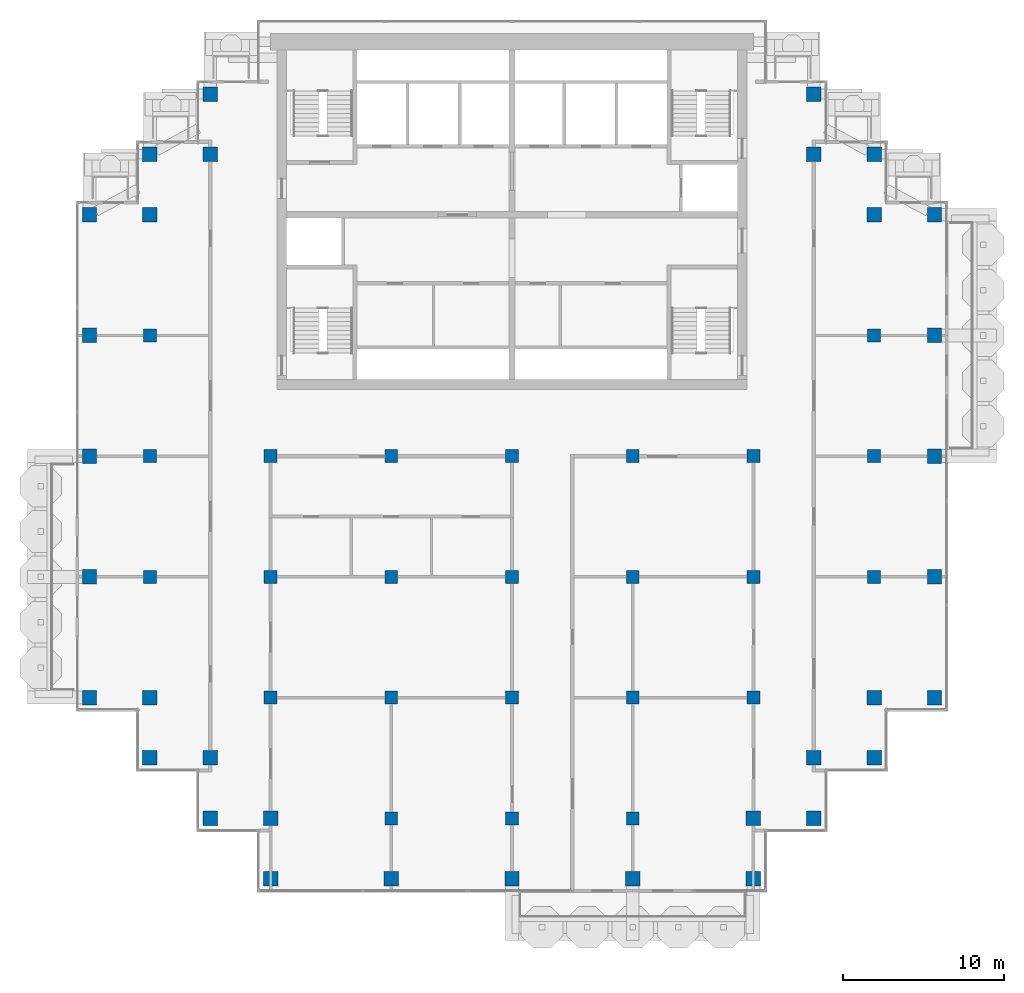
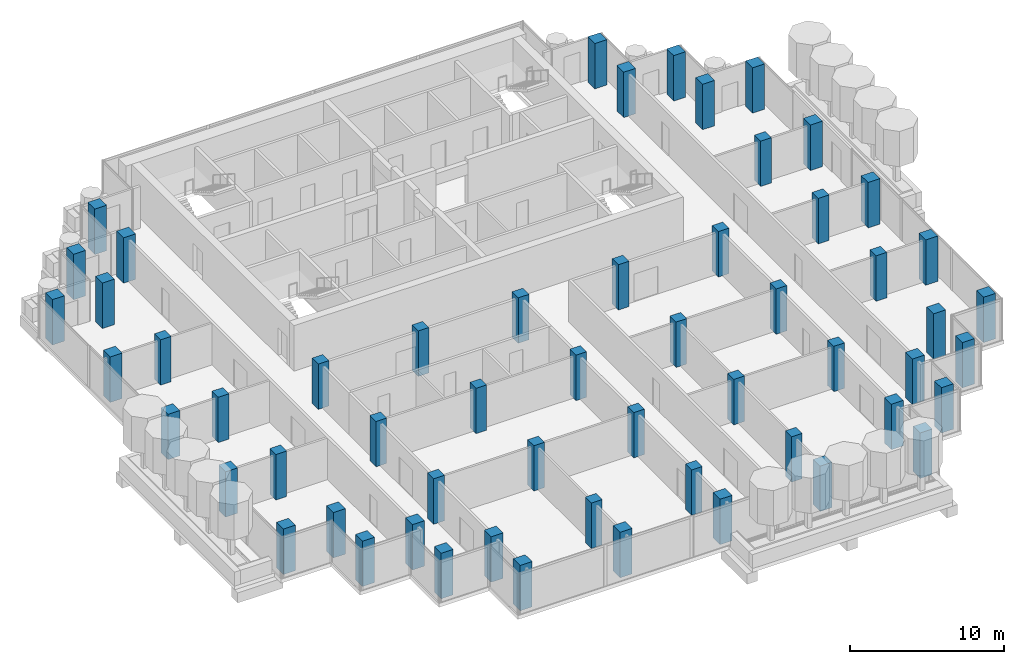
# One storey, part 1 of 18: 57 columns.
"""IFC4 building model written with IfcOpenShell, lengths in metres."""

from ifc_helpers import new_model, si_unit, direction, frame, origin, origin_2d, place, context, subcontext, project, spatial, rectangle, extrude, material, material_profile, profile_set, type_object, element, save


model = new_model("IFC4")

# Units and contexts
model_context = context("Model", 3, precision=1e-05, world=origin(), true_north=direction((0.0, 1.0)))
body_context = subcontext(model_context, "Body", "Model", "MODEL_VIEW")
ifc_project = project(units=[si_unit("LENGTHUNIT", "METRE"), si_unit("AREAUNIT", "SQUARE_METRE"), si_unit("VOLUMEUNIT", "CUBIC_METRE"), si_unit("PLANEANGLEUNIT", "RADIAN"), si_unit("MASSUNIT", "GRAM", prefix="KILO")], contexts=[model_context])

# Site, building, storey
site_placement = place(None, origin())
site = spatial("IfcSite", under=ifc_project, at=site_placement, CompositionType="ELEMENT")
building_placement = place(site_placement, origin())
building = spatial("IfcBuilding", under=site, at=building_placement, Name="Pilkhan Gate Tower", CompositionType="ELEMENT")
storey_placement = place(building_placement, frame((0.0, 0.0, 231.89990234375)))
storey = spatial("IfcBuildingStorey", under=building, at=storey_placement, Name="L60", CompositionType="ELEMENT", Elevation=231.89990234375)

# Columns
ifc_material = material(Name="Concrete C50/60", Category="concrete")
ifc_material_profile_1 = material_profile(ifc_material, rectangle(XDim=0.800048828125, YDim=0.800048828125, at=origin_2d()), Name="RC 800x800")
ifc_profile_set_1 = profile_set([ifc_material_profile_1], Name="Concrete C50/60")
column_type_1 = type_object("IfcColumnType", Name="Column C80 RC 800x800 C50/60", PredefinedType="COLUMN", material=ifc_profile_set_1)
for number, where, z_axis, x_axis, name in (
    (1, (52.5, 60.0, 0.0), (0.0, 0.0, 1.0), (1.0, 0.0, 0.0), "Column 5/F L60"),
    (2, (52.5, 67.5, 0.0), (0.0, 0.0, 1.0), (1.0, 0.0, 0.0), "Column 5/H L60"),
    (3, (52.5, 75.0, 0.0), (0.0, 0.0, 1.0), (1.0, 0.0, 0.0), "Column 5/K L60"),
    (4, (60.0, 52.5, 0.0), (0.0, 0.0, 1.0), (1.0, 0.0, 0.0), "Column 7/D L60"),
    (5, (60.0, 60.0, 0.0), (0.0, 0.0, 1.0), (1.0, 0.0, 0.0), "Column 7/F L60"),
    (6, (60.0, 67.5, 0.0), (0.0, 0.0, 1.0), (1.0, 0.0, 0.0), "Column 7/H L60"),
    (7, (67.5, 45.0, 0.0), (0.0, 0.0, 1.0), (1.0, 0.0, 0.0), "Column 9/B L60"),
    (8, (67.5, 52.5, 0.0), (0.0, 0.0, 1.0), (1.0, 0.0, 0.0), "Column 9/D L60"),
    (9, (67.5, 60.0, 0.0), (0.0, 0.0, 1.0), (1.0, 0.0, 0.0), "Column 9/F L60"),
    (10, (67.5, 67.5, 0.0), (0.0, 0.0, 1.0), (1.0, 0.0, 0.0), "Column 9/H L60"),
    (11, (75.0, 45.0, 0.0), (0.0, 0.0, 1.0), (1.0, 0.0, 0.0), "Column 11/B L60"),
    (12, (75.0, 52.5, 0.0), (0.0, 0.0, 1.0), (1.0, 0.0, 0.0), "Column 11/D L60"),
    (13, (75.0, 60.0, 0.0), (0.0, 0.0, 1.0), (1.0, 0.0, 0.0), "Column 11/F L60"),
    (14, (75.0, 67.5, 0.0), (0.0, 0.0, 1.0), (1.0, 0.0, 0.0), "Column 11/H L60"),
    (15, (82.5, 45.0, 0.0), (0.0, 0.0, 1.0), (1.0, 0.0, 0.0), "Column 13/B L60"),
    (16, (82.5, 52.5, 0.0), (0.0, 0.0, 1.0), (1.0, 0.0, 0.0), "Column 13/D L60"),
    (17, (82.5, 60.0, 0.0), (0.0, 0.0, 1.0), (1.0, 0.0, 0.0), "Column 13/F L60"),
    (18, (82.5, 67.5, 0.0), (0.0, 0.0, 1.0), (1.0, 0.0, 0.0), "Column 13/H L60"),
    (19, (90.0, 52.5, 0.0), (0.0, 0.0, 1.0), (1.0, 0.0, 0.0), "Column 15/D L60"),
    (20, (90.0, 60.0, 0.0), (0.0, 0.0, 1.0), (1.0, 0.0, 0.0), "Column 15/F L60"),
    (21, (90.0, 67.5, 0.0), (0.0, 0.0, 1.0), (1.0, 0.0, 0.0), "Column 15/H L60"),
    (22, (97.5, 60.0, 0.0), (0.0, 0.0, 1.0), (1.0, 0.0, 0.0), "Column 17/F L60"),
    (23, (97.5, 67.5, 0.0), (0.0, 0.0, 1.0), (1.0, 0.0, 0.0), "Column 17/H L60"),
    (24, (97.5, 75.0, 0.0), (0.0, 0.0, 1.0), (1.0, 0.0, 0.0), "Column 17/K L60"),
):
    element("IfcColumn", number, at=place(storey_placement, frame(where, z_axis=z_axis, x_axis=x_axis)), inside=storey, type_object=column_type_1, Name=name, PredefinedType="COLUMN", context=body_context, shape_type="SweptSolid", body=[
        extrude(rectangle(XDim=0.800048828125, YDim=0.800048828125, at=origin_2d()), origin(), (0.0, 0.0, 1.0), 3.60009765625),
    ])
ifc_material_profile_2 = material_profile(ifc_material, rectangle(XDim=0.89990234375, YDim=0.89990234375, at=origin_2d()), Name="RC 900x900")
ifc_profile_set_2 = profile_set([ifc_material_profile_2], Name="Concrete C50/60")
column_type_2 = type_object("IfcColumnType", Name="Column C90 RC 900x900 C50/60", PredefinedType="COLUMN", material=ifc_profile_set_2)
for number, where, z_axis, x_axis, name in (
    (25, (48.75, 52.5, 0.0), (0.0, 0.0, 1.0), (1.0, 0.0, 0.0), "Column 4/D L60"),
    (26, (48.75, 60.0, 0.0), (0.0, 0.0, 1.0), (1.0, 0.0, 0.0), "Column 4/F L60"),
    (27, (48.75, 67.5, 0.0), (0.0, 0.0, 1.0), (1.0, 0.0, 0.0), "Column 4/H L60"),
    (28, (48.75, 75.0, 0.0), (0.0, 0.0, 1.0), (1.0, 0.0, 0.0), "Column 4/K L60"),
    (29, (48.75, 82.5, 0.0), (0.0, 0.0, 1.0), (1.0, 0.0, 0.0), "Column 4/M L60"),
    (30, (52.5, 48.75, 0.0), (0.0, 0.0, 1.0), (1.0, 0.0, 0.0), "Column 5/C L60"),
    (31, (52.5, 52.5, 0.0), (0.0, 0.0, 1.0), (1.0, 0.0, 0.0), "Column 5/D L60"),
    (32, (52.5, 82.5, 0.0), (0.0, 0.0, 1.0), (1.0, 0.0, 0.0), "Column 5/M L60"),
    (33, (52.5, 86.25, 0.0), (0.0, 0.0, 1.0), (1.0, 0.0, 0.0), "Column 5/N L60"),
    (34, (56.25, 45.0, 0.0), (0.0, 0.0, 1.0), (1.0, 0.0, 0.0), "Column 6/B L60"),
    (35, (56.25, 48.75, 0.0), (0.0, 0.0, 1.0), (1.0, 0.0, 0.0), "Column 6/C L60"),
    (36, (56.25, 86.25, 0.0), (0.0, 0.0, 1.0), (1.0, 0.0, 0.0), "Column 6/N L60"),
    (37, (56.25, 90.0, 0.0), (0.0, 0.0, 1.0), (1.0, 0.0, 0.0), "Column 6/P L60"),
    (38, (60.0, 41.25, 0.0), (0.0, 0.0, 1.0), (1.0, 0.0, 0.0), "Column 7/A L60"),
    (39, (60.0, 45.0, 0.0), (0.0, 0.0, 1.0), (1.0, 0.0, 0.0), "Column 7/B L60"),
    (40, (67.5, 41.25, 0.0), (0.0, 0.0, 1.0), (1.0, 0.0, 0.0), "Column 9/A L60"),
    (41, (75.0, 41.25, 0.0), (0.0, 0.0, 1.0), (1.0, 0.0, 0.0), "Column 11/A L60"),
    (42, (82.5, 41.25, 0.0), (0.0, 0.0, 1.0), (1.0, 0.0, 0.0), "Column 13/A L60"),
    (43, (90.0, 41.25, 0.0), (0.0, 0.0, 1.0), (1.0, 0.0, 0.0), "Column 15/A L60"),
    (44, (90.0, 45.0, 0.0), (0.0, 0.0, 1.0), (1.0, 0.0, 0.0), "Column 15/B L60"),
    (45, (93.75, 45.0, 0.0), (0.0, 0.0, 1.0), (1.0, 0.0, 0.0), "Column 16/B L60"),
    (46, (93.75, 48.75, 0.0), (0.0, 0.0, 1.0), (1.0, 0.0, 0.0), "Column 16/C L60"),
    (47, (93.75, 86.25, 0.0), (0.0, 0.0, 1.0), (1.0, 0.0, 0.0), "Column 16/N L60"),
    (48, (93.75, 90.0, 0.0), (0.0, 0.0, 1.0), (1.0, 0.0, 0.0), "Column 16/P L60"),
    (49, (97.5, 48.75, 0.0), (0.0, 0.0, 1.0), (1.0, 0.0, 0.0), "Column 17/C L60"),
    (50, (97.5, 52.5, 0.0), (0.0, 0.0, 1.0), (1.0, 0.0, 0.0), "Column 17/D L60"),
    (51, (97.5, 82.5, 0.0), (0.0, 0.0, 1.0), (1.0, 0.0, 0.0), "Column 17/M L60"),
    (52, (97.5, 86.25, 0.0), (0.0, 0.0, 1.0), (1.0, 0.0, 0.0), "Column 17/N L60"),
    (53, (101.25, 52.5, 0.0), (0.0, 0.0, 1.0), (1.0, 0.0, 0.0), "Column 18/D L60"),
    (54, (101.25, 60.0, 0.0), (0.0, 0.0, 1.0), (1.0, 0.0, 0.0), "Column 18/F L60"),
    (55, (101.25, 67.5, 0.0), (0.0, 0.0, 1.0), (1.0, 0.0, 0.0), "Column 18/H L60"),
    (56, (101.25, 75.0, 0.0), (0.0, 0.0, 1.0), (1.0, 0.0, 0.0), "Column 18/K L60"),
    (57, (101.25, 82.5, 0.0), (0.0, 0.0, 1.0), (1.0, 0.0, 0.0), "Column 18/M L60"),
):
    element("IfcColumn", number, at=place(storey_placement, frame(where, z_axis=z_axis, x_axis=x_axis)), inside=storey, type_object=column_type_2, Name=name, PredefinedType="COLUMN", context=body_context, shape_type="SweptSolid", body=[
        extrude(rectangle(XDim=0.89990234375, YDim=0.89990234375, at=origin_2d()), origin(), (0.0, 0.0, 1.0), 3.60009765625),
    ])

save(model, "model.ifc")
